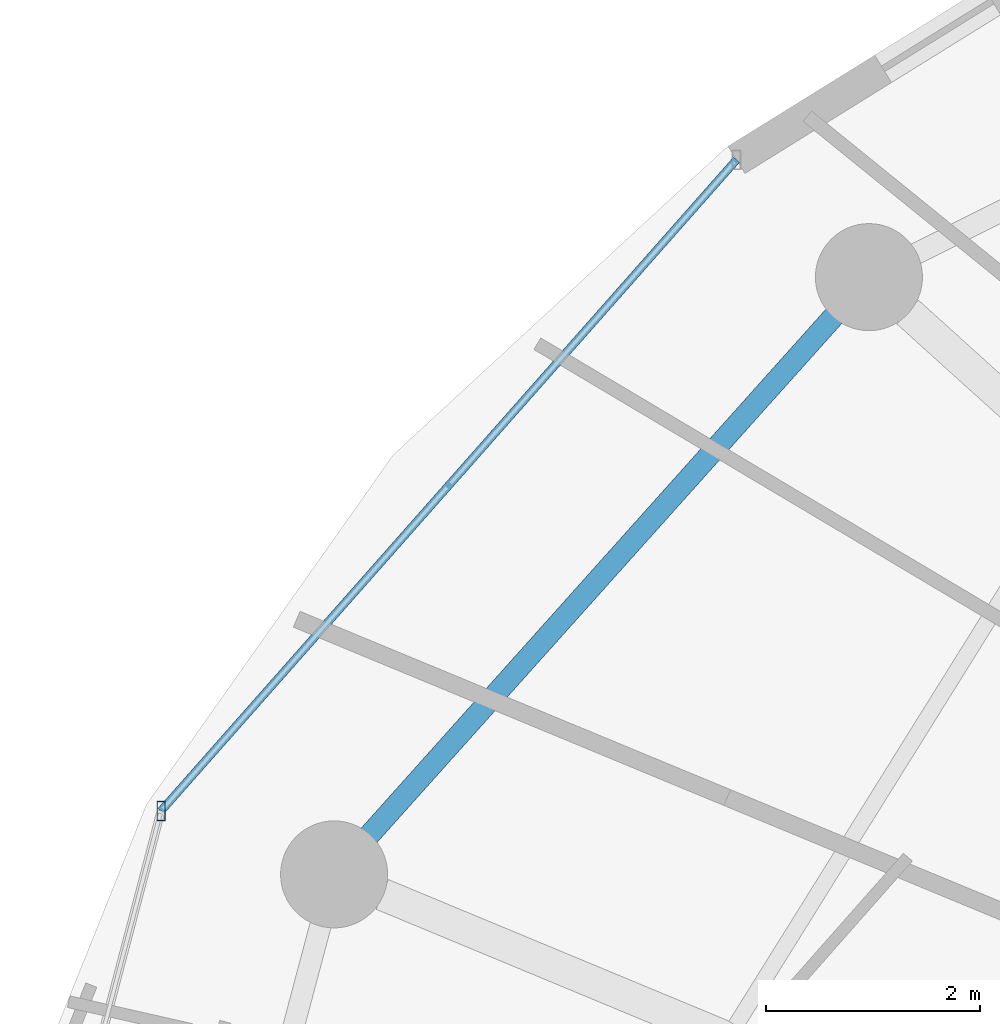
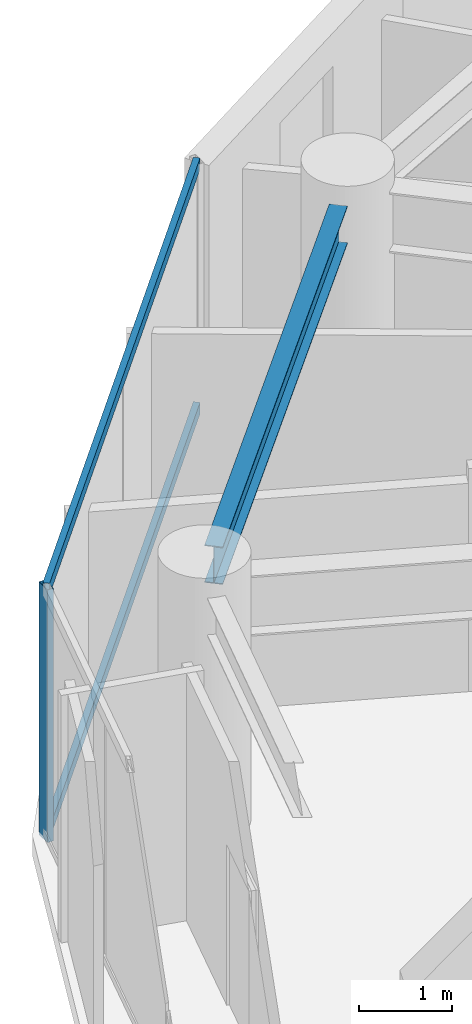
# One storey, part 8 of 28: 3 members, 1 beam, 1 element without a shape of its own.
"""IFC4 building model written with IfcOpenShell, lengths in metres."""

from ifc_helpers import new_model, si_unit, direction, frame, origin, origin_2d, place, context, subcontext, project, spatial, hollow_rectangle, i_section, extrude, material, material_profile, profile_set, type_object, element, aggregate, save


model = new_model("IFC4")

# Units and contexts
model_context = context("Model", 3, precision=1e-05, world=origin(), true_north=direction((0.0, 1.0)))
body_context = subcontext(model_context, "Body", "Model", "MODEL_VIEW")
ifc_project = project(units=[si_unit("LENGTHUNIT", "METRE"), si_unit("AREAUNIT", "SQUARE_METRE"), si_unit("VOLUMEUNIT", "CUBIC_METRE"), si_unit("PLANEANGLEUNIT", "RADIAN"), si_unit("MASSUNIT", "GRAM", prefix="KILO")], contexts=[model_context])

# Site, building, storey
site_placement = place(None, origin())
site = spatial("IfcSite", under=ifc_project, at=site_placement, CompositionType="ELEMENT")
building_placement = place(site_placement, origin())
building = spatial("IfcBuilding", under=site, at=building_placement, Name="Vorneva Point Tower", CompositionType="ELEMENT")
storey_placement = place(building_placement, frame((0.0, 0.0, 139.60009765625)))
storey = spatial("IfcBuildingStorey", under=building, at=storey_placement, Name="L37", CompositionType="ELEMENT", Elevation=139.60009765625)

# Beam
ifc_material_1 = material(Name="Steel S355", Category="steel")
ifc_material_profile_1 = material_profile(ifc_material_1, i_section(OverallWidth=0.199951171875, OverallDepth=0.491943359375, WebThickness=0.0087890625, FlangeThickness=0.011962890625, at=origin_2d()), Name="50B1")
ifc_profile_set_1 = profile_set([ifc_material_profile_1], Name="Steel S355")
beam_type = type_object("IfcBeamType", Name="BM-SPN-50B1", PredefinedType="SPANDREL", material=ifc_profile_set_1)
beam_placement = place(storey_placement, frame((21.377685546875, 37.80078125, 2.993896484375), z_axis=(-0.667111118975, -0.74495822362, 0.0), x_axis=(0.74495822362, -0.667111118975, 0.0)))
element("IfcBeam", 1, at=beam_placement, inside=storey, type_object=beam_type, Name="L37 Perimeter Spandrel Ring Beam 07", PredefinedType="SPANDREL", context=body_context, shape_type="SweptSolid", body=[
    extrude(i_section(OverallWidth=0.199951171875, OverallDepth=0.491943359375, WebThickness=0.0087890625, FlangeThickness=0.011962890625, at=origin_2d()), origin(), (0.0, 0.0, 1.0), 6.52001953125),
])

# Curtain wall, members
ifc_material_2 = material(Name="Pale anodised aluminium", Category="aluminium")
curtain_wall_type = type_object("IfcCurtainWallType", Name="CW-RES-SYS", PredefinedType="NOTDEFINED", material=ifc_material_2)
curtain_wall_placement = place(storey_placement, origin())
curtain_wall = element("IfcCurtainWall", 2, at=curtain_wall_placement, inside=storey, type_object=curtain_wall_type, Name="L37 Unitised Curtain Wall CW-L37-R02", PredefinedType="NOTDEFINED")
ifc_material_profile_2 = material_profile(ifc_material_2, hollow_rectangle(XDim=0.074951171875, YDim=0.179931640625, WallThickness=0.00390625, at=origin_2d()), Name="AL-MUL 180x75x4")
ifc_profile_set_2 = profile_set([ifc_material_profile_2], Name="Pale anodised aluminium")
member_type_1 = type_object("IfcMemberType", Name="CW-MUL-180", PredefinedType="MULLION", material=ifc_profile_set_2)
member_1_placement = place(storey_placement, frame((15.087890625, 33.17529296875, -0.0400390625), z_axis=(0.0, 0.0, 1.0), x_axis=(1.0, 0.0, 0.0)))
member_1 = element("IfcMember", 3, at=member_1_placement, type_object=member_type_1, Name="CW-L37-R02 Mullion 02", PredefinedType="MULLION", context=body_context, shape_type="SweptSolid", body=[
    extrude(hollow_rectangle(XDim=0.074951171875, YDim=0.179931640625, WallThickness=0.00390625, at=origin_2d()), origin(), (0.0, 0.0, 1.0), 3.31005859375),
])
ifc_material_profile_3 = material_profile(ifc_material_2, hollow_rectangle(XDim=0.074951171875, YDim=0.14990234375, WallThickness=0.00390625, at=origin_2d()), Name="AL-TRN 150x75x4")
ifc_profile_set_3 = profile_set([ifc_material_profile_3], Name="Pale anodised aluminium")
member_type_2 = type_object("IfcMemberType", Name="CW-TRN-150", PredefinedType="USERDEFINED", material=ifc_profile_set_3)
member_2_placement = place(storey_placement, frame((20.4638671875, 39.25830078125, 0.02001953125), z_axis=(-0.662218216609, -0.749311039283, 0.0), x_axis=(0.749311039283, -0.662218216609, 0.0)))
member_2 = element("IfcMember", 4, at=member_2_placement, type_object=member_type_2, Name="CW-L37-R02 Transom 01.1", ObjectType="TRANSOM", PredefinedType="USERDEFINED", context=body_context, shape_type="SweptSolid", body=[
    extrude(hollow_rectangle(XDim=0.074951171875, YDim=0.14990234375, WallThickness=0.00390625, at=origin_2d()), origin(), (0.0, 0.0, 1.0), 8.1181640625),
])
member_3_placement = place(storey_placement, frame((20.4638671875, 39.25830078125, 3.219970703125), z_axis=(-0.662218216609, -0.749311039283, 0.0), x_axis=(0.749311039283, -0.662218216609, 0.0)))
member_3 = element("IfcMember", 5, at=member_3_placement, type_object=member_type_2, Name="CW-L37-R02 Transom 01.2", ObjectType="TRANSOM", PredefinedType="USERDEFINED", context=body_context, shape_type="SweptSolid", body=[
    extrude(hollow_rectangle(XDim=0.074951171875, YDim=0.14990234375, WallThickness=0.00390625, at=origin_2d()), origin(), (0.0, 0.0, 1.0), 8.1181640625),
])
aggregate(curtain_wall, [member_1, member_2, member_3])

save(model, "model.ifc")
